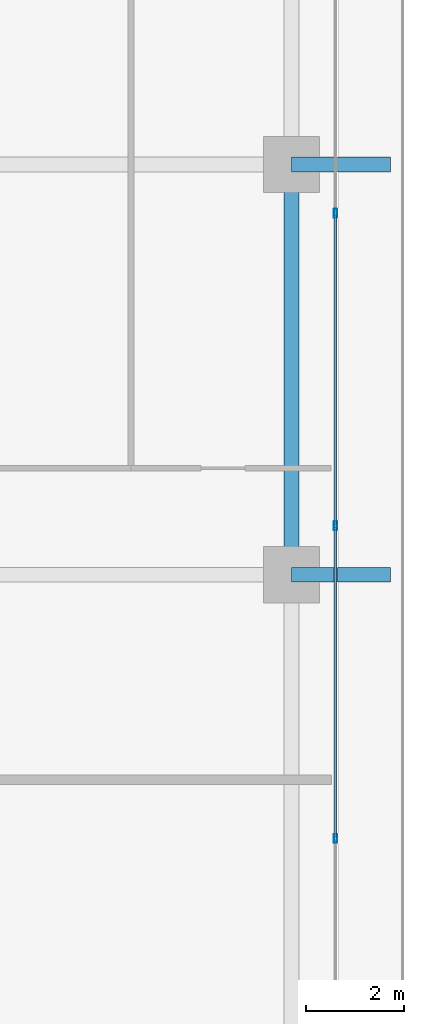
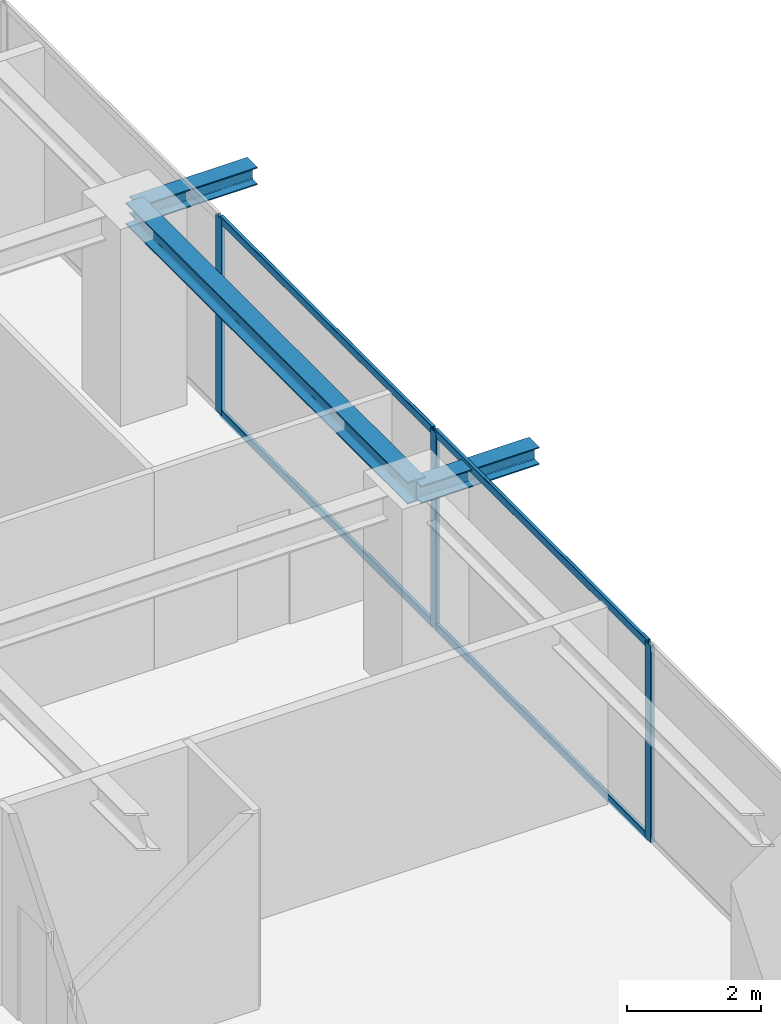
# One storey, part 15 of 37: 7 members, 3 beams, 1 element without a shape of its own.
"""IFC4 building model written with IfcOpenShell, lengths in metres."""

from ifc_helpers import new_model, si_unit, direction, frame, origin, origin_2d, place, context, subcontext, project, spatial, hollow_rectangle, i_section, extrude, source, transform, mapped, material, layer, layer_set, material_profile, profile_set, type_object, element, aggregate, save


model = new_model("IFC4")

# Units and contexts
model_context = context("Model", 3, precision=1e-05, world=origin(), true_north=direction((0.0, 1.0)))
body_context = subcontext(model_context, "Body", "Model", "MODEL_VIEW")
ifc_project = project(units=[si_unit("LENGTHUNIT", "METRE"), si_unit("AREAUNIT", "SQUARE_METRE"), si_unit("VOLUMEUNIT", "CUBIC_METRE"), si_unit("PLANEANGLEUNIT", "RADIAN"), si_unit("MASSUNIT", "GRAM", prefix="KILO")], contexts=[model_context])

# Site, building, storey
site_placement = place(None, origin())
site = spatial("IfcSite", under=ifc_project, at=site_placement, CompositionType="ELEMENT")
building_placement = place(site_placement, origin())
building = spatial("IfcBuilding", under=site, at=building_placement, Name="Serunith Strait Residences", CompositionType="ELEMENT")
storey_placement = place(building_placement, frame((0.0, 0.0, 218.14990234375)))
storey = spatial("IfcBuildingStorey", under=building, at=storey_placement, Name="L54", CompositionType="ELEMENT", Elevation=218.14990234375)

# Beams
ifc_material_1 = material(Name="Steel S355J2", Category="steel")
ifc_material_profile_1 = material_profile(ifc_material_1, i_section(OverallWidth=0.300048828125, OverallDepth=0.39990234375, WebThickness=0.013427734375, FlangeThickness=0.02392578125, FilletRadius=0.027099609375, at=origin_2d()), Name="HEB 400")
ifc_profile_set_1 = profile_set([ifc_material_profile_1], Name="Steel S355J2")
beam_type_1 = type_object("IfcBeamType", Name="BM-HEB400", PredefinedType="BEAM", material=ifc_profile_set_1)
shared_shape_1 = source(origin(), body_context, "Body", "SweptSolid", [
    extrude(i_section(OverallWidth=0.300048828125, OverallDepth=0.39990234375, WebThickness=0.013427734375, FlangeThickness=0.02392578125, FilletRadius=0.027099609375, at=origin_2d()), origin(), (0.0, 0.0, 1.0), 8.39990234375),
])
beam_placement = place(storey_placement, frame((56.5, 21.0, 3.38720703125), z_axis=(0.0, 1.0, 0.0), x_axis=(-1.0, 0.0, 0.0)))
element("IfcBeam", 1, at=beam_placement, inside=storey, type_object=beam_type_1, Name="L54 Perimeter Ring Beam 06", PredefinedType="BEAM", context=body_context, shape_type="MappedRepresentation", body=[
    mapped(shared_shape_1, transform((0.0, 0.0, 0.0), scale=1.0)),
])
ifc_material_profile_2 = material_profile(ifc_material_1, i_section(OverallWidth=0.300048828125, OverallDepth=0.320068359375, WebThickness=0.011474609375, FlangeThickness=0.0205078125, FilletRadius=0.027099609375, at=origin_2d()), Name="HEB 320")
ifc_profile_set_2 = profile_set([ifc_material_profile_2], Name="Steel S355J2")
beam_type_2 = type_object("IfcBeamType", Name="BM-HEB320", PredefinedType="BEAM", material=ifc_profile_set_2)
shared_shape_2 = source(origin(), body_context, "Body", "SweptSolid", [
    extrude(i_section(OverallWidth=0.300048828125, OverallDepth=0.320068359375, WebThickness=0.011474609375, FlangeThickness=0.0205078125, FilletRadius=0.027099609375, at=origin_2d()), origin(), (0.0, 0.0, 1.0), 2.030029296875),
])
for number, where, z_axis, x_axis, name in (
    (2, (56.5, 21.0, 3.397216796875), (1.0, 0.0, 0.0), (0.0, 1.0, 0.0), "L55 Cantilevered Balcony Rib TC-E2"),
    (3, (56.5, 29.39990234375, 3.397216796875), (1.0, 0.0, 0.0), (0.0, 1.0, 0.0), "L55 Cantilevered Balcony Rib TC-E3"),
):
    element("IfcBeam", number, at=place(storey_placement, frame(where, z_axis=z_axis, x_axis=x_axis)), inside=storey, type_object=beam_type_2, Name=name, PredefinedType="BEAM", context=body_context, shape_type="MappedRepresentation", body=[
        mapped(shared_shape_2, transform((0.0, 0.0, 0.0), scale=1.0)),
    ])

# Curtain wall, members
ifc_material_2 = material(Name="Pale-Champagne Anodised Aluminium", Category="aluminium")
ifc_layer = layer(ifc_material_2, 0.199951171875, Name="Pale-Champagne Anodised Aluminium")
ifc_layer_set = layer_set([ifc_layer], Name="Pale-Champagne Anodised Aluminium")
curtain_wall_type = type_object("IfcCurtainWallType", Name="CW-SYS4", PredefinedType="NOTDEFINED", material=ifc_layer_set)
curtain_wall_placement = place(storey_placement, origin())
curtain_wall = element("IfcCurtainWall", 4, at=curtain_wall_placement, inside=storey, type_object=curtain_wall_type, Name="L54 E Unitised Fritted Curtain Wall", PredefinedType="NOTDEFINED")
ifc_material_profile_3 = material_profile(ifc_material_2, hollow_rectangle(XDim=0.06005859375, YDim=0.139892578125, WallThickness=0.00341796875, InnerFilletRadius=0.00537109375, OuterFilletRadius=0.0087890625, at=origin_2d()), Name="ALU 140x60x3.5")
ifc_profile_set_3 = profile_set([ifc_material_profile_3], Name="Pale-Champagne Anodised Aluminium")
member_type_1 = type_object("IfcMemberType", Name="CW-SYS4-TRAN", PredefinedType="USERDEFINED", material=ifc_profile_set_3)
shared_shape_3 = source(origin(), body_context, "Body", "SweptSolid", [
    extrude(hollow_rectangle(XDim=0.06005859375, YDim=0.139892578125, WallThickness=0.00341796875, InnerFilletRadius=0.00537109375, OuterFilletRadius=0.0087890625, at=origin_2d()), origin(), (0.0, 0.0, 1.0), 6.3349609375),
])
member_1_placement = place(storey_placement, frame((57.39990234375, 15.632568359375, 0.030029296875), z_axis=(0.0, 1.0, 0.0), x_axis=(-1.0, 0.0, 0.0)))
member_1 = element("IfcMember", 5, at=member_1_placement, type_object=member_type_1, Name="CW-4 transom 2.1", ObjectType="TRANSOM", PredefinedType="USERDEFINED", context=body_context, shape_type="MappedRepresentation", body=[
    mapped(shared_shape_3, transform((0.0, 0.0, 0.0), scale=1.0)),
])
member_2_placement = place(storey_placement, frame((57.39990234375, 15.632568359375, 3.545166015625), z_axis=(0.0, 1.0, 0.0), x_axis=(-1.0, 0.0, 0.0)))
member_2 = element("IfcMember", 6, at=member_2_placement, type_object=member_type_1, Name="CW-4 transom 2.2", ObjectType="TRANSOM", PredefinedType="USERDEFINED", context=body_context, shape_type="MappedRepresentation", body=[
    mapped(shared_shape_3, transform((0.0, 0.0, 0.0), scale=1.0)),
])
member_3_placement = place(storey_placement, frame((57.39990234375, 22.032470703125, 0.030029296875), z_axis=(0.0, 1.0, 0.0), x_axis=(-1.0, 0.0, 0.0)))
member_3 = element("IfcMember", 7, at=member_3_placement, type_object=member_type_1, Name="CW-4 transom 3.1", ObjectType="TRANSOM", PredefinedType="USERDEFINED", context=body_context, shape_type="MappedRepresentation", body=[
    mapped(shared_shape_3, transform((0.0, 0.0, 0.0), scale=1.0)),
])
member_4_placement = place(storey_placement, frame((57.39990234375, 22.032470703125, 3.545166015625), z_axis=(0.0, 1.0, 0.0), x_axis=(-1.0, 0.0, 0.0)))
member_4 = element("IfcMember", 8, at=member_4_placement, type_object=member_type_1, Name="CW-4 transom 3.2", ObjectType="TRANSOM", PredefinedType="USERDEFINED", context=body_context, shape_type="MappedRepresentation", body=[
    mapped(shared_shape_3, transform((0.0, 0.0, 0.0), scale=1.0)),
])
ifc_material_profile_4 = material_profile(ifc_material_2, hollow_rectangle(XDim=0.06494140625, YDim=0.179931640625, WallThickness=0.00341796875, InnerFilletRadius=0.00537109375, OuterFilletRadius=0.0087890625, at=origin_2d()), Name="ALU 180x65x3.5")
ifc_profile_set_4 = profile_set([ifc_material_profile_4], Name="Pale-Champagne Anodised Aluminium")
member_type_2 = type_object("IfcMemberType", Name="CW-SYS4-MULL", PredefinedType="MULLION", material=ifc_profile_set_4)
shared_shape_4 = source(origin(), body_context, "Body", "SweptSolid", [
    extrude(hollow_rectangle(XDim=0.06494140625, YDim=0.179931640625, WallThickness=0.00341796875, InnerFilletRadius=0.00537109375, OuterFilletRadius=0.0087890625, at=origin_2d()), origin(), (0.0, 0.0, 1.0), 3.5751953125),
])
member_5_placement = place(storey_placement, frame((57.39990234375, 15.60009765625, 0.0), z_axis=(0.0, 0.0, 1.0), x_axis=(-1.0, 0.0, 0.0)))
member_5 = element("IfcMember", 9, at=member_5_placement, type_object=member_type_2, Name="CW-4 mullion 2", PredefinedType="MULLION", context=body_context, shape_type="MappedRepresentation", body=[
    mapped(shared_shape_4, transform((0.0, 0.0, 0.0), scale=1.0)),
])
member_6_placement = place(storey_placement, frame((57.39990234375, 22.0, 0.0), z_axis=(0.0, 0.0, 1.0), x_axis=(-1.0, 0.0, 0.0)))
member_6 = element("IfcMember", 10, at=member_6_placement, type_object=member_type_2, Name="CW-4 mullion 3", PredefinedType="MULLION", context=body_context, shape_type="MappedRepresentation", body=[
    mapped(shared_shape_4, transform((0.0, 0.0, 0.0), scale=1.0)),
])
member_7_placement = place(storey_placement, frame((57.39990234375, 28.39990234375, 0.0), z_axis=(0.0, 0.0, 1.0), x_axis=(-1.0, 0.0, 0.0)))
member_7 = element("IfcMember", 11, at=member_7_placement, type_object=member_type_2, Name="CW-4 mullion 4", PredefinedType="MULLION", context=body_context, shape_type="MappedRepresentation", body=[
    mapped(shared_shape_4, transform((0.0, 0.0, 0.0), scale=1.0)),
])
aggregate(curtain_wall, [member_5, member_6, member_7, member_1, member_2, member_3, member_4])

save(model, "model.ifc")
